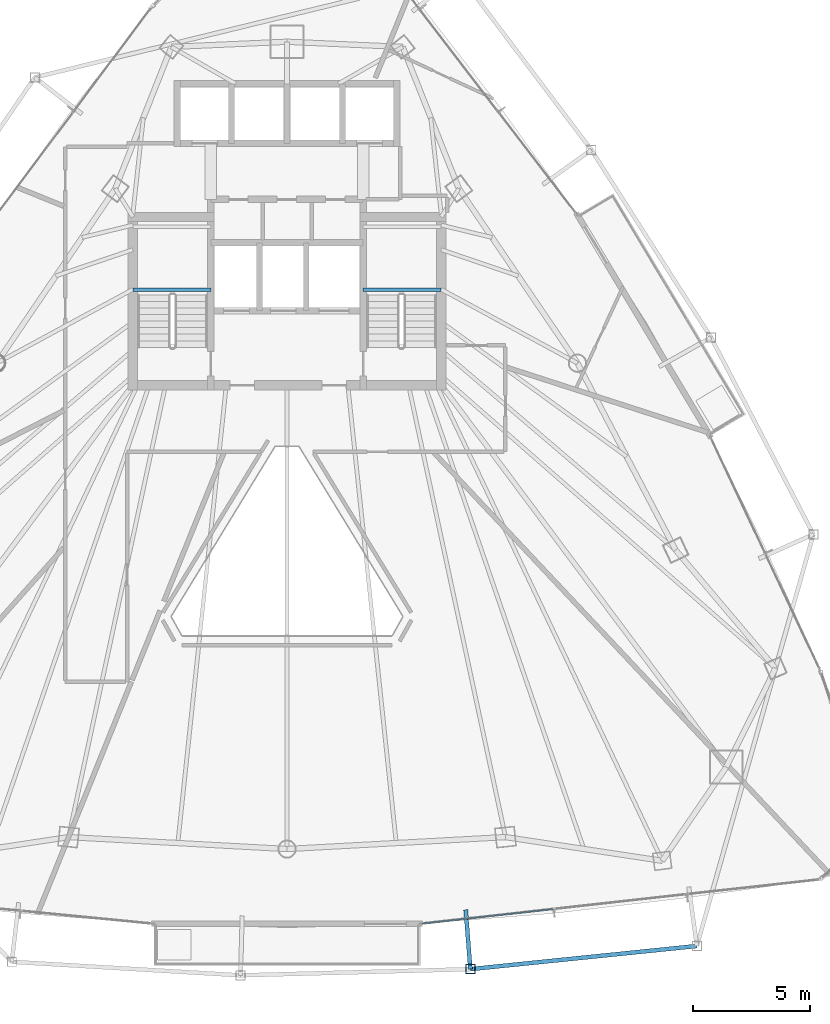
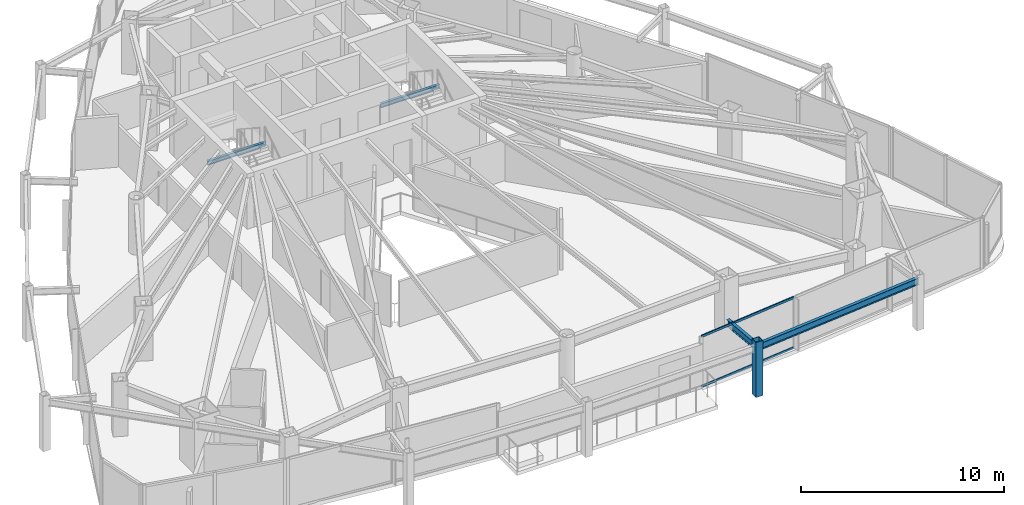
# One storey, part 13 of 31: 4 beams, 3 members, 1 element without a shape of its own.
"""IFC4 building model written with IfcOpenShell, lengths in metres."""

from ifc_helpers import new_model, si_unit, direction, frame, origin, origin_2d, place, context, subcontext, project, spatial, hollow_rectangle, i_section, extrude, material, layer, layer_set, material_profile, profile_set, type_object, element, aggregate, save


model = new_model("IFC4")

# Units and contexts
model_context = context("Model", 3, precision=1e-05, world=origin(), true_north=direction((0.0, 1.0)))
body_context = subcontext(model_context, "Body", "Model", "MODEL_VIEW")
ifc_project = project(units=[si_unit("LENGTHUNIT", "METRE"), si_unit("AREAUNIT", "SQUARE_METRE"), si_unit("VOLUMEUNIT", "CUBIC_METRE"), si_unit("PLANEANGLEUNIT", "RADIAN"), si_unit("MASSUNIT", "GRAM", prefix="KILO")], contexts=[model_context])

# Site, building, storey
site_placement = place(None, origin())
site = spatial("IfcSite", under=ifc_project, at=site_placement, CompositionType="ELEMENT")
building_placement = place(site_placement, origin())
building = spatial("IfcBuilding", under=site, at=building_placement, Name="Orvanel Arch Residences", CompositionType="ELEMENT")
storey_placement = place(building_placement, frame((0.0, 0.0, 153.949951171875)))
storey = spatial("IfcBuildingStorey", under=building, at=storey_placement, Name="L43", CompositionType="ELEMENT", Elevation=153.949951171875)

# Beams
ifc_material_1 = material(Name="Structural steel AS/NZS 3679.1 Grade 300 (300 MPa)", Category="steel")
ifc_material_profile_1 = material_profile(ifc_material_1, i_section(OverallWidth=0.14599609375, OverallDepth=0.251953125, WebThickness=0.006103515625, FlangeThickness=0.008544921875, at=origin_2d()), Name="250UB31.4")
ifc_profile_set_1 = profile_set([ifc_material_profile_1], Name="Structural steel AS/NZS 3679.1 Grade 300 (300 MPa)")
beam_type_1 = type_object("IfcBeamType", Name="BJ-250UB", PredefinedType="JOIST", material=ifc_profile_set_1)
for number, where, z_axis, x_axis, name in (
    (1, (26.39990234375, 30.780029296875, 1.323974609375), (1.0, 0.0, 0.0), (0.0, 1.0, 0.0), "L43 ST-1 Half-Landing Support Beam 1.1"),
    (2, (36.25, 30.780029296875, 1.323974609375), (1.0, 0.0, 0.0), (0.0, 1.0, 0.0), "L43 ST-2 Half-Landing Support Beam 1.1"),
):
    element("IfcBeam", number, at=place(storey_placement, frame(where, z_axis=z_axis, x_axis=x_axis)), inside=storey, type_object=beam_type_1, Name=name, PredefinedType="JOIST", context=body_context, shape_type="SweptSolid", body=[
        extrude(i_section(OverallWidth=0.14599609375, OverallDepth=0.251953125, WebThickness=0.006103515625, FlangeThickness=0.008544921875, at=origin_2d()), origin(), (0.0, 0.0, 1.0), 3.35009765625),
    ])
ifc_material_profile_2 = material_profile(ifc_material_1, i_section(OverallWidth=0.177978515625, OverallDepth=0.406005859375, WebThickness=0.0078125, FlangeThickness=0.0126953125, at=origin_2d()), Name="410UB59.7")
ifc_profile_set_2 = profile_set([ifc_material_profile_2], Name="Structural steel AS/NZS 3679.1 Grade 300 (300 MPa)")
beam_type_2 = type_object("IfcBeamType", Name="OB-410UB-EXT", PredefinedType="SPANDREL", material=ifc_profile_set_2)
beam_1_placement = place(storey_placement, frame((40.64794921875, 4.243896484375, 2.85693359375), z_axis=(0.078036368424, -0.996950512916, 0.0), x_axis=(0.996950512916, 0.078036368424, 0.0)))
element("IfcBeam", 3, at=beam_1_placement, inside=storey, type_object=beam_type_2, Name="L43 Outer Frame Radial Tie Beam 07", PredefinedType="SPANDREL", context=body_context, shape_type="SweptSolid", body=[
    extrude(i_section(OverallWidth=0.177978515625, OverallDepth=0.406005859375, WebThickness=0.0078125, FlangeThickness=0.0126953125, at=origin_2d()), origin(), (0.0, 0.0, 1.0), 2.5498046875),
])
beam_2_placement = place(storey_placement, frame((40.846923828125, 1.701904296875, 2.85693359375), z_axis=(0.994815281962, 0.101698351876, 0.0), x_axis=(-0.101698351876, 0.994815281962, 0.0)))
element("IfcBeam", 4, at=beam_2_placement, inside=storey, type_object=beam_type_2, Name="L43 Outer Perimeter Floor Ring Beam 07", PredefinedType="SPANDREL", context=body_context, shape_type="SweptSolid", body=[
    extrude(i_section(OverallWidth=0.177978515625, OverallDepth=0.406005859375, WebThickness=0.0078125, FlangeThickness=0.0126953125, at=origin_2d()), origin(), (0.0, 0.0, 1.0), 9.74658203125),
])

# Member
ifc_material_2 = material(Name="Structural steel AS/NZS 1163 C450L0 (Grade 450)", Category="steel")
ifc_material_profile_3 = material_profile(ifc_material_2, hollow_rectangle(XDim=0.39990234375, YDim=0.39990234375, WallThickness=0.01611328125, at=origin_2d()), Name="SHS400x400x16")
ifc_profile_set_3 = profile_set([ifc_material_profile_3], Name="Structural steel AS/NZS 1163 C450L0 (Grade 450)")
member_type_1 = type_object("IfcMemberType", Name="ST-400SHS-EXT", PredefinedType="STRUT", material=ifc_profile_set_3)
member_1_placement = place(storey_placement, frame((40.846923828125, 1.701904296875, 0.0), z_axis=(0.0, 0.0, 1.0), x_axis=(1.0, 0.0, 0.0)))
element("IfcMember", 5, at=member_1_placement, inside=storey, type_object=member_type_1, Name="L43 Outer Perimeter Frame Post 07", PredefinedType="STRUT", context=body_context, shape_type="SweptSolid", body=[
    extrude(hollow_rectangle(XDim=0.39990234375, YDim=0.39990234375, WallThickness=0.01611328125, at=origin_2d()), origin(), (0.0, 0.0, 1.0), 3.300048828125),
])

# Curtain wall, members
ifc_material_3 = material(Name="Bronze-anodised aluminium AA6063-T6", Category="aluminium")
ifc_layer = layer(ifc_material_3, 0.179931640625)
ifc_layer_set = layer_set([ifc_layer], Name="Bronze-anodised aluminium AA6063-T6")
curtain_wall_type = type_object("IfcCurtainWallType", Name="CW3-MID-SYS", PredefinedType="NOTDEFINED", material=ifc_layer_set)
curtain_wall_placement = place(storey_placement, origin())
curtain_wall = element("IfcCurtainWall", 6, at=curtain_wall_placement, inside=storey, type_object=curtain_wall_type, Name="L43 CW3-MID-SYS Unitised Curtain Wall", PredefinedType="NOTDEFINED")
ifc_material_profile_4 = material_profile(ifc_material_3, hollow_rectangle(XDim=0.06005859375, YDim=0.135009765625, WallThickness=0.00390625, at=origin_2d()), Name="ALU135x60x4")
ifc_profile_set_4 = profile_set([ifc_material_profile_4], Name="Bronze-anodised aluminium AA6063-T6")
member_type_2 = type_object("IfcMemberType", Name="TRN-135x60", PredefinedType="USERDEFINED", material=ifc_profile_set_4)
member_2_placement = place(storey_placement, frame((38.79345703125, 3.650634765625, 0.030029296875), z_axis=(0.993886382766, 0.110407690643, 0.0), x_axis=(-0.110407690643, 0.993886382766, 0.0)))
member_2 = element("IfcMember", 7, at=member_2_placement, type_object=member_type_2, Name="CW-S3 transom 1.1", ObjectType="TRANSOM", PredefinedType="USERDEFINED", context=body_context, shape_type="SweptSolid", body=[
    extrude(hollow_rectangle(XDim=0.06005859375, YDim=0.135009765625, WallThickness=0.00390625, at=origin_2d()), origin(), (0.0, 0.0, 1.0), 5.62109375),
])
member_3_placement = place(storey_placement, frame((38.79345703125, 3.650634765625, 3.030029296875), z_axis=(0.993886382766, 0.110407690643, 0.0), x_axis=(-0.110407690643, 0.993886382766, 0.0)))
member_3 = element("IfcMember", 8, at=member_3_placement, type_object=member_type_2, Name="CW-S3 transom 1.2", ObjectType="TRANSOM", PredefinedType="USERDEFINED", context=body_context, shape_type="SweptSolid", body=[
    extrude(hollow_rectangle(XDim=0.06005859375, YDim=0.135009765625, WallThickness=0.00390625, at=origin_2d()), origin(), (0.0, 0.0, 1.0), 5.62109375),
])
aggregate(curtain_wall, [member_2, member_3])

save(model, "model.ifc")
